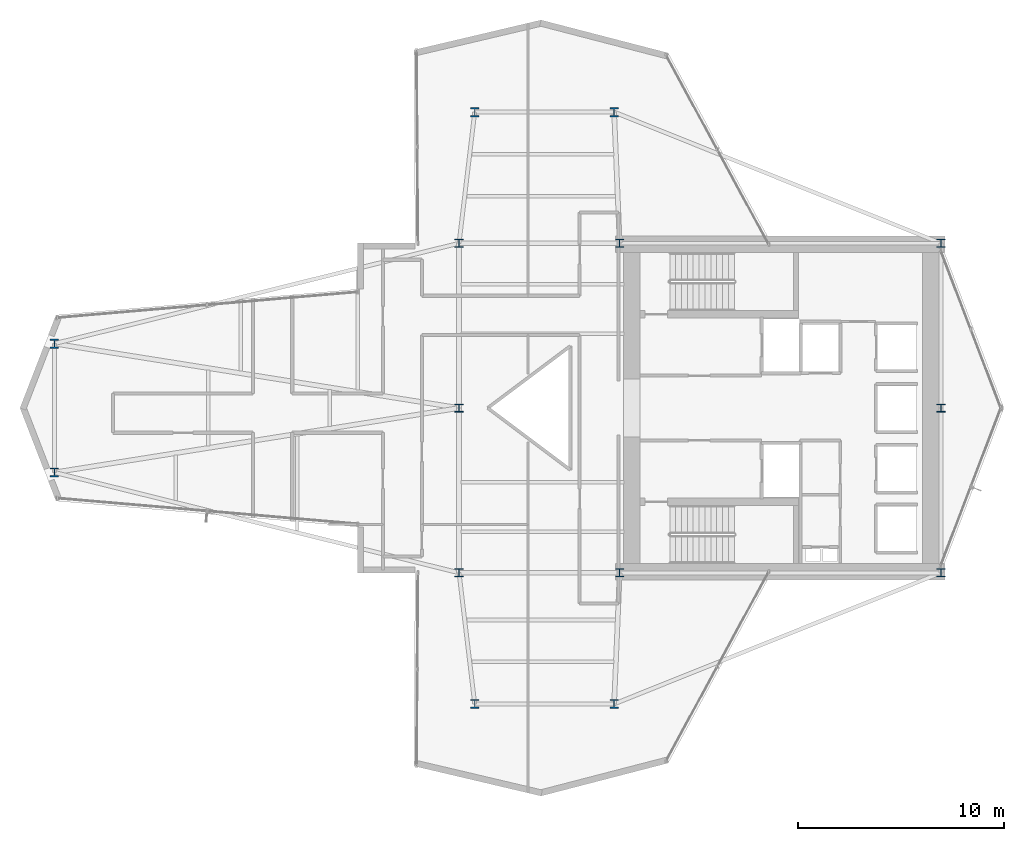
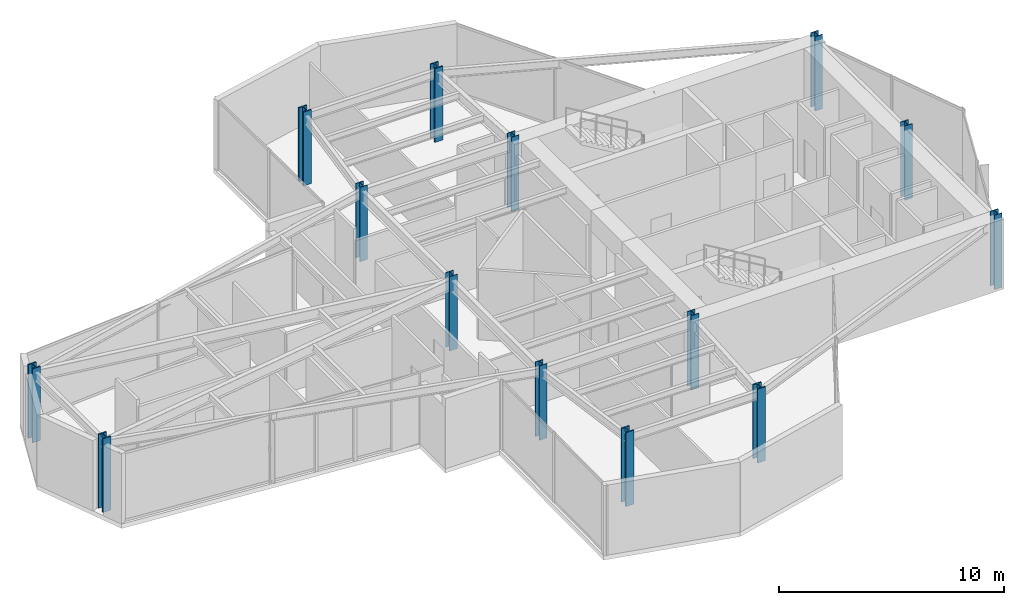
# One storey, part 1 of 26: 14 columns.
"""IFC4 building model written with IfcOpenShell, lengths in metres."""

from ifc_helpers import new_model, si_unit, direction, frame, origin, origin_2d, place, context, subcontext, project, spatial, i_section, extrude, material, material_profile, profile_set, type_object, element, save


model = new_model("IFC4")

# Units and contexts
model_context = context("Model", 3, precision=1e-05, world=origin(), true_north=direction((0.0, 1.0)))
body_context = subcontext(model_context, "Body", "Model", "MODEL_VIEW")
ifc_project = project(units=[si_unit("LENGTHUNIT", "METRE"), si_unit("AREAUNIT", "SQUARE_METRE"), si_unit("VOLUMEUNIT", "CUBIC_METRE"), si_unit("PLANEANGLEUNIT", "RADIAN"), si_unit("MASSUNIT", "GRAM", prefix="KILO")], contexts=[model_context])

# Site, building, storey
site_placement = place(None, origin())
site = spatial("IfcSite", under=ifc_project, at=site_placement, CompositionType="ELEMENT")
building_placement = place(site_placement, origin())
building = spatial("IfcBuilding", under=site, at=building_placement, Name="Veymaron Broadcast Tower", CompositionType="ELEMENT")
storey_placement = place(building_placement, frame((0.0, 0.0, 153.300048828125)))
storey = spatial("IfcBuildingStorey", under=building, at=storey_placement, Name="L35", CompositionType="ELEMENT", Elevation=153.300048828125)

# Columns
ifc_material_1 = material(Name="Structural steel ASTM A992 Gr 50", Category="steel")
ifc_material_profile_1 = material_profile(ifc_material_1, i_section(OverallWidth=0.39794921875, OverallDepth=0.386962890625, WebThickness=0.02099609375, FlangeThickness=0.033203125, at=origin_2d()), Name="W360X262")
ifc_profile_set_1 = profile_set([ifc_material_profile_1], Name="Structural steel ASTM A992 Gr 50")
column_type_1 = type_object("IfcColumnType", Name="COL-HC2", PredefinedType="COLUMN", material=ifc_profile_set_1)
for number, where, z_axis, x_axis, name in (
    (1, (31.199951171875, 16.0, 0.0), (0.0, 0.0, 1.0), (1.0, 0.0, 0.0), "L35 structural hub and core column"),
    (2, (31.199951171875, 24.0, 0.0), (0.0, 0.0, 1.0), (1.0, 0.0, 0.0), "L35 structural hub and core column"),
    (3, (31.199951171875, 32.0, 0.0), (0.0, 0.0, 1.0), (1.0, 0.0, 0.0), "L35 structural hub and core column"),
    (4, (39.0, 16.0, 0.0), (0.0, 0.0, 1.0), (1.0, 0.0, 0.0), "L35 structural hub and core column"),
    (5, (39.0, 32.0, 0.0), (0.0, 0.0, 1.0), (1.0, 0.0, 0.0), "L35 structural hub and core column"),
    (6, (54.60009765625, 16.0, 0.0), (0.0, 0.0, 1.0), (1.0, 0.0, 0.0), "L35 structural hub and core column"),
    (7, (54.60009765625, 24.0, 0.0), (0.0, 0.0, 1.0), (1.0, 0.0, 0.0), "L35 structural hub and core column"),
    (8, (54.60009765625, 32.0, 0.0), (0.0, 0.0, 1.0), (1.0, 0.0, 0.0), "L35 structural hub and core column"),
):
    element("IfcColumn", number, at=place(storey_placement, frame(where, z_axis=z_axis, x_axis=x_axis)), inside=storey, type_object=column_type_1, Name=name, PredefinedType="COLUMN", context=body_context, shape_type="SweptSolid", body=[
        extrude(i_section(OverallWidth=0.39794921875, OverallDepth=0.386962890625, WebThickness=0.02099609375, FlangeThickness=0.033203125, at=origin_2d()), origin(), (0.0, 0.0, 1.0), 4.0439453125),
    ])
ifc_material_2 = material(Name="Structural steel ASTM A913 Gr 65", Category="steel")
ifc_material_profile_2 = material_profile(ifc_material_2, i_section(OverallWidth=0.41796875, OverallDepth=0.455078125, WebThickness=0.0419921875, FlangeThickness=0.067626953125, at=origin_2d()), Name="W360X551")
ifc_profile_set_2 = profile_set([ifc_material_profile_2], Name="Structural steel ASTM A913 Gr 65")
column_type_2 = type_object("IfcColumnType", Name="COL-MC2", PredefinedType="COLUMN", material=ifc_profile_set_2)
for number, where, z_axis, x_axis, name in (
    (9, (11.5537109375, 20.8720703125, 0.015869140625), (0.0, 0.0, 1.0), (1.0, 0.0, 0.0), "L35 Tapered Wing Mega Column"),
    (10, (11.5537109375, 27.1279296875, 0.015869140625), (0.0, 0.0, 1.0), (1.0, 0.0, 0.0), "L35 Tapered Wing Mega Column"),
    (11, (31.961669921875, 38.367919921875, 0.015869140625), (0.0, 0.0, 1.0), (1.0, 0.0, 0.0), "L35 Tapered Wing Mega Column"),
    (12, (38.72802734375, 38.367919921875, 0.015869140625), (0.0, 0.0, 1.0), (1.0, 0.0, 0.0), "L35 Tapered Wing Mega Column"),
    (13, (31.961669921875, 9.632080078125, 0.015869140625), (0.0, 0.0, 1.0), (1.0, 0.0, 0.0), "L35 Tapered Wing Mega Column"),
    (14, (38.72802734375, 9.632080078125, 0.015869140625), (0.0, 0.0, 1.0), (1.0, 0.0, 0.0), "L35 Tapered Wing Mega Column"),
):
    element("IfcColumn", number, at=place(storey_placement, frame(where, z_axis=z_axis, x_axis=x_axis)), inside=storey, type_object=column_type_2, Name=name, PredefinedType="COLUMN", context=body_context, shape_type="SweptSolid", body=[
        extrude(i_section(OverallWidth=0.41796875, OverallDepth=0.455078125, WebThickness=0.0419921875, FlangeThickness=0.067626953125, at=origin_2d()), origin(), (0.0, 0.0, 1.0), 4.01806640625),
    ])

save(model, "model.ifc")
